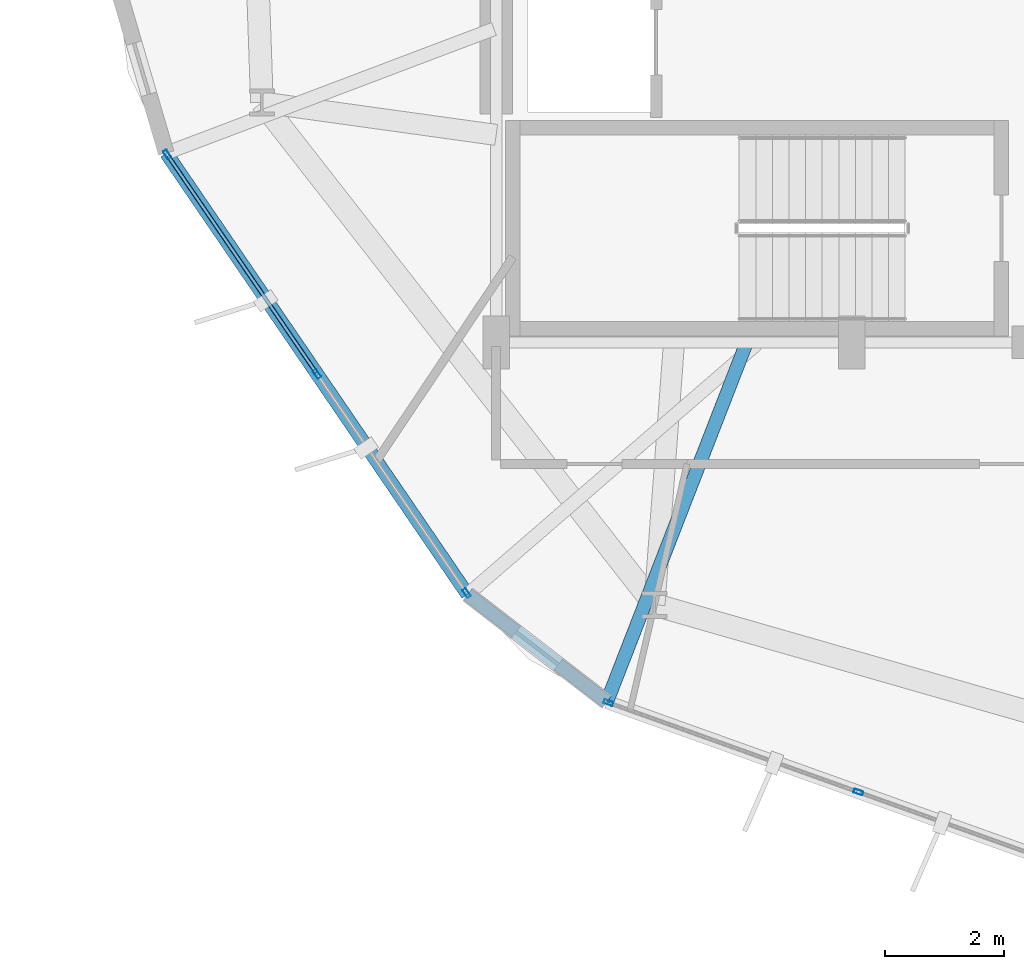
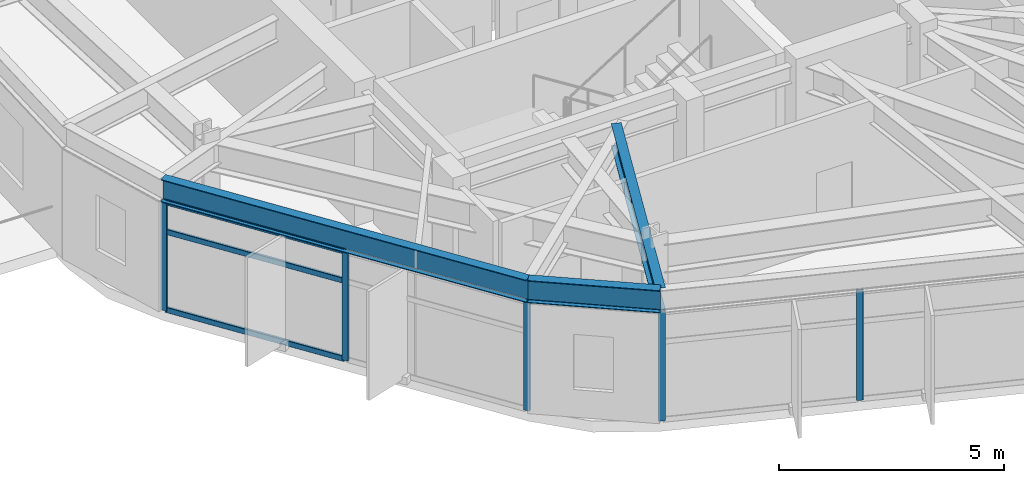
# One storey, part 2 of 24: 8 members, 3 beams, 2 elements without a shape of their own.
"""IFC4 building model written with IfcOpenShell, lengths in metres."""

from ifc_helpers import new_model, si_unit, direction, frame, origin, origin_2d, place, context, subcontext, project, spatial, hollow_rectangle, i_section, extrude, material, layer, layer_set, material_profile, profile_set, type_object, element, aggregate, save


model = new_model("IFC4")

# Units and contexts
model_context = context("Model", 3, precision=1e-05, world=origin(), true_north=direction((0.0, 1.0)))
body_context = subcontext(model_context, "Body", "Model", "MODEL_VIEW")
ifc_project = project(units=[si_unit("LENGTHUNIT", "METRE"), si_unit("AREAUNIT", "SQUARE_METRE"), si_unit("VOLUMEUNIT", "CUBIC_METRE"), si_unit("PLANEANGLEUNIT", "RADIAN"), si_unit("MASSUNIT", "GRAM", prefix="KILO")], contexts=[model_context])

# Site, building, storey
site_placement = place(None, origin())
site = spatial("IfcSite", under=ifc_project, at=site_placement, CompositionType="ELEMENT")
building_placement = place(site_placement, origin())
building = spatial("IfcBuilding", under=site, at=building_placement, Name="Soratama Intermodal Tower", CompositionType="ELEMENT")
storey_placement = place(building_placement, frame((0.0, 0.0, 91.300048828125)))
storey = spatial("IfcBuildingStorey", under=building, at=storey_placement, Name="L21", CompositionType="ELEMENT", Elevation=91.300048828125)

# Beams
ifc_material_1 = material(Name="Structural steel ASTM A992 Grade 50", Category="steel")
ifc_material_profile_1 = material_profile(ifc_material_1, i_section(OverallWidth=0.22900390625, OverallDepth=0.612060546875, WebThickness=0.011962890625, FlangeThickness=0.01953125, FilletRadius=0.012939453125, at=origin_2d()), Name="W24X84")
ifc_profile_set_1 = profile_set([ifc_material_profile_1], Name="Structural steel ASTM A992 Grade 50")
beam_type_1 = type_object("IfcBeamType", Name="BM-SPN-W24X84", PredefinedType="SPANDREL", material=ifc_profile_set_1)
beam_1_placement = place(storey_placement, frame((27.033935546875, 18.194091796875, 3.2939453125), z_axis=(0.563826534194, -0.825893237252, 0.0), x_axis=(0.825893237252, 0.563826534194, 0.0)))
element("IfcBeam", 1, at=beam_1_placement, inside=storey, type_object=beam_type_1, Name="BS-L21-F06", PredefinedType="SPANDREL", context=body_context, shape_type="SweptSolid", body=[
    extrude(i_section(OverallWidth=0.22900390625, OverallDepth=0.612060546875, WebThickness=0.011962890625, FlangeThickness=0.01953125, FilletRadius=0.012939453125, at=origin_2d()), origin(), (0.0, 0.0, 1.0), 9.016845703125),
])
beam_2_placement = place(storey_placement, frame((32.117919921875, 10.7470703125, 3.2939453125), z_axis=(0.79152746355, -0.611133597871, 0.0), x_axis=(0.611133597871, 0.79152746355, 0.0)))
element("IfcBeam", 2, at=beam_2_placement, inside=storey, type_object=beam_type_1, Name="BS-L21-CRN06", PredefinedType="SPANDREL", context=body_context, shape_type="SweptSolid", body=[
    extrude(i_section(OverallWidth=0.22900390625, OverallDepth=0.612060546875, WebThickness=0.011962890625, FlangeThickness=0.01953125, FilletRadius=0.012939453125, at=origin_2d()), origin(), (0.0, 0.0, 1.0), 2.966552734375),
])
ifc_material_2 = material(Name="Structural steel ASTM A992 Grade 50", Category="steel")
ifc_material_profile_2 = material_profile(ifc_material_2, i_section(OverallWidth=0.22900390625, OverallDepth=0.612060546875, WebThickness=0.011962890625, FlangeThickness=0.01953125, FilletRadius=0.012939453125, at=origin_2d()), Name="W24X84")
ifc_profile_set_2 = profile_set([ifc_material_profile_2], Name="Structural steel ASTM A992 Grade 50")
beam_type_2 = type_object("IfcBeamType", Name="BM-TIE-W24X84", PredefinedType="BEAM", material=ifc_profile_set_2)
beam_3_placement = place(storey_placement, frame((36.81103515625, 14.962890625, 3.2939453125), z_axis=(-0.362504541814, -0.931982004743, 0.0), x_axis=(0.931982004743, -0.362504541814, 0.0)))
element("IfcBeam", 3, at=beam_3_placement, inside=storey, type_object=beam_type_2, Name="BM-L21-TIE0-07", PredefinedType="BEAM", context=body_context, shape_type="SweptSolid", body=[
    extrude(i_section(OverallWidth=0.22900390625, OverallDepth=0.612060546875, WebThickness=0.011962890625, FlangeThickness=0.01953125, FilletRadius=0.012939453125, at=origin_2d()), origin(), (0.0, 0.0, 1.0), 6.46875),
])

# Curtain wall, members
ifc_material_3 = material(Name="Double-glazed aluminium curtain wall", Category="aluminium")
ifc_layer = layer(ifc_material_3, 0.159912109375)
ifc_layer_set = layer_set([ifc_layer], Name="Double-glazed aluminium curtain wall")
curtain_wall_type = type_object("IfcCurtainWallType", Name="CW-SYS-3", PredefinedType="NOTDEFINED", material=ifc_layer_set)
curtain_wall_1_placement = place(storey_placement, origin())
curtain_wall_1 = element("IfcCurtainWall", 4, at=curtain_wall_1_placement, inside=storey, type_object=curtain_wall_type, Name="L21 Faceted Curtain Wall F06", PredefinedType="NOTDEFINED")
ifc_material_4 = material(Name="Anodised aluminium AA 6063-T6", Category="aluminium")
ifc_material_profile_3 = material_profile(ifc_material_4, hollow_rectangle(XDim=0.070068359375, YDim=0.159912109375, WallThickness=0.0048828125, InnerFilletRadius=0.0048828125, OuterFilletRadius=0.010009765625, at=origin_2d()), Name="CWM160X70X5")
ifc_profile_set_3 = profile_set([ifc_material_profile_3], Name="Anodised aluminium AA 6063-T6")
member_type_1 = type_object("IfcMemberType", Name="MT-CWM-3", PredefinedType="MULLION", material=ifc_profile_set_3)
member_1_placement = place(storey_placement, frame((27.051025390625, 18.169189453125, 0.0), z_axis=(0.0, 0.0, 1.0), x_axis=(0.82590200148, 0.563813696137, 0.0)))
member_1 = element("IfcMember", 5, at=member_1_placement, type_object=member_type_1, Name="CW-3 mullion 1", PredefinedType="MULLION", context=body_context, shape_type="SweptSolid", body=[
    extrude(hollow_rectangle(XDim=0.070068359375, YDim=0.159912109375, WallThickness=0.0048828125, InnerFilletRadius=0.0048828125, OuterFilletRadius=0.010009765625, at=origin_2d()), origin(), (0.0, 0.0, 1.0), 2.97900390625),
])
member_2_placement = place(storey_placement, frame((29.575927734375, 14.470458984375, 0.0), z_axis=(0.0, 0.0, 1.0), x_axis=(0.82590200148, 0.563813696137, 0.0)))
member_2 = element("IfcMember", 6, at=member_2_placement, type_object=member_type_1, Name="CW-3 mullion 2", PredefinedType="MULLION", context=body_context, shape_type="SweptSolid", body=[
    extrude(hollow_rectangle(XDim=0.070068359375, YDim=0.159912109375, WallThickness=0.0048828125, InnerFilletRadius=0.0048828125, OuterFilletRadius=0.010009765625, at=origin_2d()), origin(), (0.0, 0.0, 1.0), 2.97900390625),
])
member_3_placement = place(storey_placement, frame((32.100830078125, 10.771728515625, 0.0), z_axis=(0.0, 0.0, 1.0), x_axis=(0.82590200148, 0.563813696137, 0.0)))
member_3 = element("IfcMember", 7, at=member_3_placement, type_object=member_type_1, Name="CW-3 mullion 3", PredefinedType="MULLION", context=body_context, shape_type="SweptSolid", body=[
    extrude(hollow_rectangle(XDim=0.070068359375, YDim=0.159912109375, WallThickness=0.0048828125, InnerFilletRadius=0.0048828125, OuterFilletRadius=0.010009765625, at=origin_2d()), origin(), (0.0, 0.0, 1.0), 2.97900390625),
])

curtain_wall_2_placement = place(storey_placement, origin())
curtain_wall_2 = element("IfcCurtainWall", 8, at=curtain_wall_2_placement, inside=storey, type_object=curtain_wall_type, Name="L21 Faceted Curtain Wall F07", PredefinedType="NOTDEFINED")
member_4_placement = place(storey_placement, frame((34.493896484375, 8.923583984375, 0.0), z_axis=(0.0, 0.0, 1.0), x_axis=(0.336761412889, 0.941590012048, 0.0)))
member_4 = element("IfcMember", 9, at=member_4_placement, type_object=member_type_1, Name="CW-3 mullion 1", PredefinedType="MULLION", context=body_context, shape_type="SweptSolid", body=[
    extrude(hollow_rectangle(XDim=0.070068359375, YDim=0.159912109375, WallThickness=0.0048828125, InnerFilletRadius=0.0048828125, OuterFilletRadius=0.010009765625, at=origin_2d()), origin(), (0.0, 0.0, 1.0), 2.97900390625),
])
member_5_placement = place(storey_placement, frame((38.710693359375, 7.41552734375, 0.0), z_axis=(0.0, 0.0, 1.0), x_axis=(0.336761412889, 0.941590012048, 0.0)))
member_5 = element("IfcMember", 10, at=member_5_placement, type_object=member_type_1, Name="CW-3 mullion 2", PredefinedType="MULLION", context=body_context, shape_type="SweptSolid", body=[
    extrude(hollow_rectangle(XDim=0.070068359375, YDim=0.159912109375, WallThickness=0.0048828125, InnerFilletRadius=0.0048828125, OuterFilletRadius=0.010009765625, at=origin_2d()), origin(), (0.0, 0.0, 1.0), 2.97900390625),
])
aggregate(curtain_wall_2, [member_4, member_5])

# Member
ifc_material_5 = material(Name="Anodised aluminium AA 6063-T6", Category="aluminium")
ifc_material_profile_4 = material_profile(ifc_material_5, hollow_rectangle(XDim=0.06494140625, YDim=0.14990234375, WallThickness=0.0048828125, InnerFilletRadius=0.0048828125, OuterFilletRadius=0.010009765625, at=origin_2d()), Name="CWT150X65X5")
ifc_profile_set_4 = profile_set([ifc_material_profile_4], Name="Anodised aluminium AA 6063-T6")
member_type_2 = type_object("IfcMemberType", Name="TT-CWT-1", PredefinedType="USERDEFINED", material=ifc_profile_set_4)
member_6_placement = place(storey_placement, frame((27.06787109375, 18.14453125, 0.030029296875), z_axis=(0.563821942708, -0.825896371781, 0.0), x_axis=(0.825896371781, 0.563821942708, 0.0)))
member_6 = element("IfcMember", 11, at=member_6_placement, type_object=member_type_2, Name="CW-3 transom 1.1", ObjectType="TRANSOM", PredefinedType="USERDEFINED", context=body_context, shape_type="SweptSolid", body=[
    extrude(hollow_rectangle(XDim=0.06494140625, YDim=0.14990234375, WallThickness=0.0048828125, InnerFilletRadius=0.0048828125, OuterFilletRadius=0.010009765625, at=origin_2d()), origin(), (0.0, 0.0, 1.0), 4.41845703125),
])

member_7_placement = place(storey_placement, frame((27.06787109375, 18.14453125, 2.14990234375), z_axis=(0.563821942708, -0.825896371781, 0.0), x_axis=(0.825896371781, 0.563821942708, 0.0)))
member_7 = element("IfcMember", 12, at=member_7_placement, type_object=member_type_2, Name="CW-3 transom 1.2", ObjectType="TRANSOM", PredefinedType="USERDEFINED", context=body_context, shape_type="SweptSolid", body=[
    extrude(hollow_rectangle(XDim=0.06494140625, YDim=0.14990234375, WallThickness=0.0048828125, InnerFilletRadius=0.0048828125, OuterFilletRadius=0.010009765625, at=origin_2d()), origin(), (0.0, 0.0, 1.0), 4.41845703125),
])

member_8_placement = place(storey_placement, frame((27.06787109375, 18.14453125, 2.948974609375), z_axis=(0.563821942708, -0.825896371781, 0.0), x_axis=(0.825896371781, 0.563821942708, 0.0)))
member_8 = element("IfcMember", 13, at=member_8_placement, type_object=member_type_2, Name="CW-3 transom 1.3", ObjectType="TRANSOM", PredefinedType="USERDEFINED", context=body_context, shape_type="SweptSolid", body=[
    extrude(hollow_rectangle(XDim=0.06494140625, YDim=0.14990234375, WallThickness=0.0048828125, InnerFilletRadius=0.0048828125, OuterFilletRadius=0.010009765625, at=origin_2d()), origin(), (0.0, 0.0, 1.0), 4.41845703125),
])

aggregate(curtain_wall_1, [member_1, member_2, member_3, member_6, member_7, member_8])

save(model, "model.ifc")
